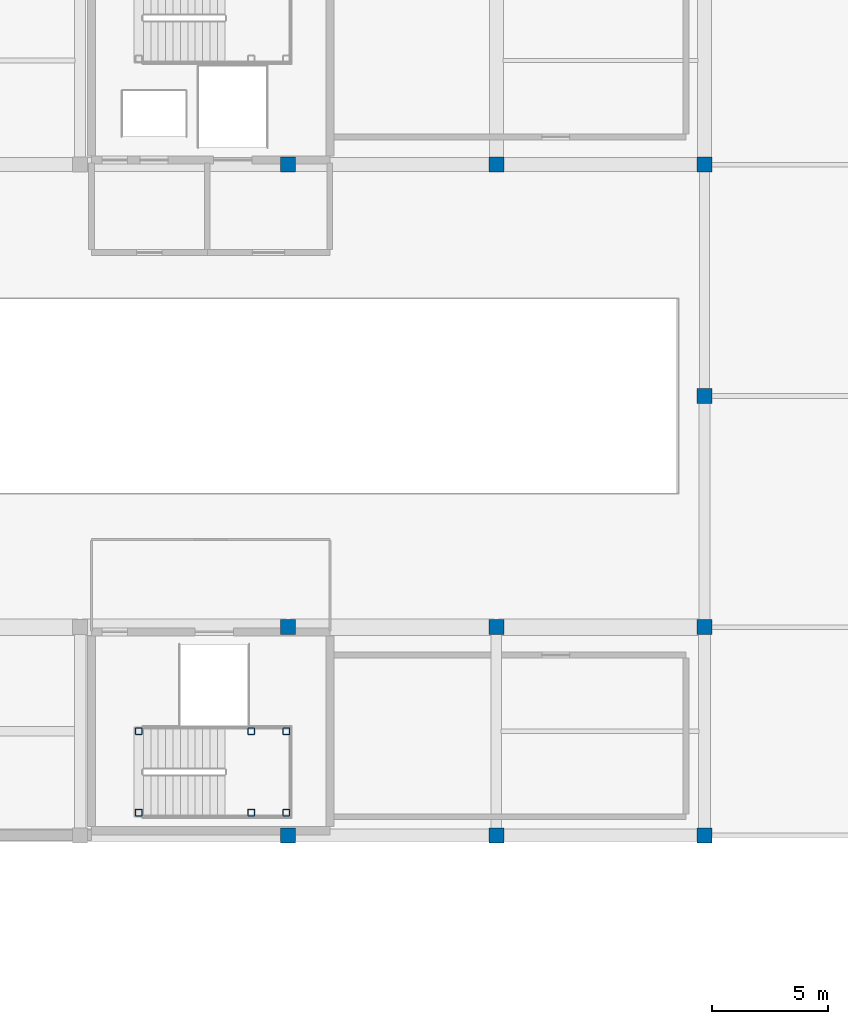
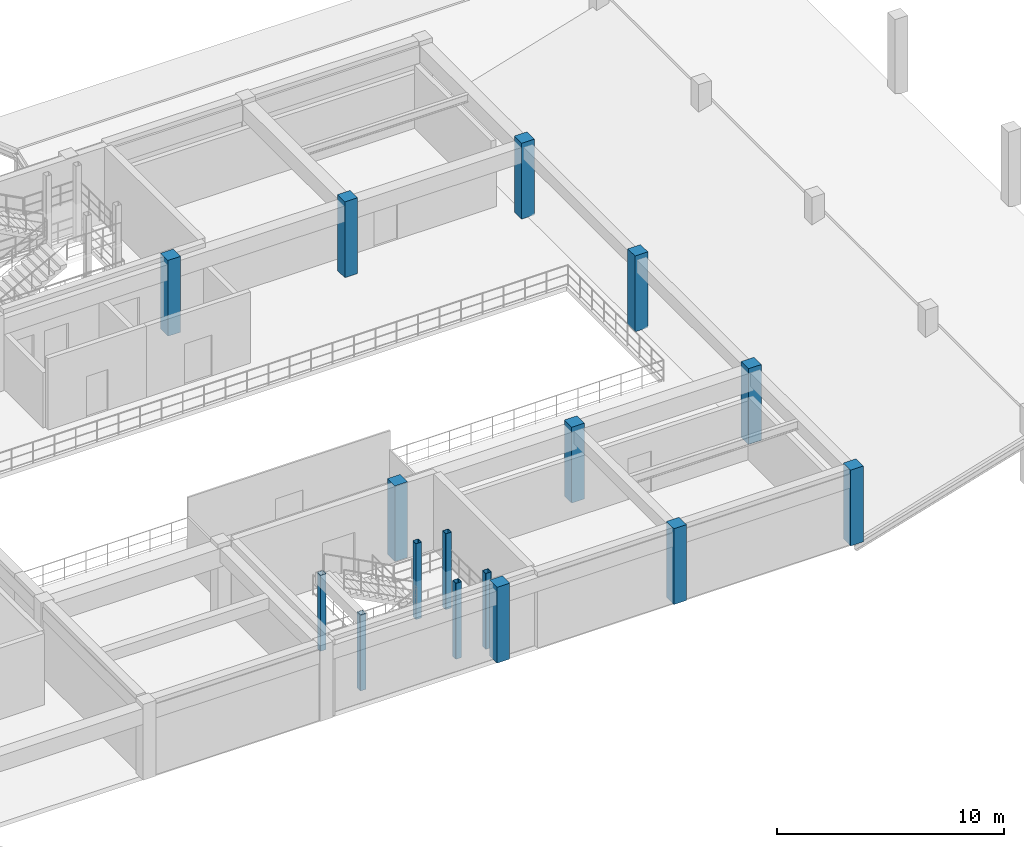
# One storey, part 3 of 80: 16 columns.
"""IFC4 building model written with IfcOpenShell, lengths in metres."""

import ifcopenshell
import ifcopenshell.guid

model = None  # the IFC model being written
_history = None  # IfcOwnerHistory: only IFC2X3 demands one
_inside = {}  # id of a spatial element -> (the spatial element, [elements in it])
_under = {}  # id of a project, library or spatial element -> (it, [spatial elements below it])
_declared = {}  # id of a project -> (the project, [libraries it declares])
_typed = {}  # id of a type object -> (the type object, [elements of that type])
_made_of = {}  # id of a material, layer set ... -> (it, [elements and type objects made of it])


def new_model(schema):
    """Start an empty IFC model of exactly this schema.

    Asked for "IFC4X3", IfcOpenShell would pick the latest addendum, in which some entities
    have other attributes; the version numbers below select the first issue.
    IFC2X3 requires an IfcOwnerHistory on every rooted entity: one is made here for all.
    """
    global model, _history
    if schema == "IFC4X3":
        model = ifcopenshell.file(schema_version=(4, 3, 0, 0))
    else:
        model = ifcopenshell.file(schema=schema)
    _inside.clear()
    _under.clear()
    _declared.clear()
    _typed.clear()
    _made_of.clear()
    _history = None
    if model.schema == "IFC2X3":
        org = make("IfcOrganization", Name="unknown")
        user = make(
            "IfcPersonAndOrganization",
            ThePerson=make("IfcPerson", FamilyName="unknown"),
            TheOrganization=org,
        )
        app = make(
            "IfcApplication",
            ApplicationDeveloper=org,
            Version="unknown",
            ApplicationFullName="unknown",
            ApplicationIdentifier="unknown",
        )
        _history = make(
            "IfcOwnerHistory",
            OwningUser=user,
            OwningApplication=app,
            ChangeAction="ADDED",
            CreationDate=0,
        )
    return model


def make(cls, **values):
    """One entity of the class cls with the attributes given. An attribute that is None is left unset."""
    return model.create_entity(
        cls, **{name: value for name, value in values.items() if value is not None}
    )


def rooted(cls, **values):
    """An entity with a GlobalId (a new one), such as an element, a storey or a relation."""
    return make(cls, GlobalId=ifcopenshell.guid.new(), OwnerHistory=_history, **values)


def si_unit(unit_type, name, prefix=None):
    """IfcSIUnit, for example si_unit("LENGTHUNIT", "METRE", prefix="MILLI")."""
    return make("IfcSIUnit", UnitType=unit_type, Prefix=prefix, Name=name)


def assignment(units):
    """IfcUnitAssignment: the units of a project."""
    return None if units is None else make("IfcUnitAssignment", Units=units)


def point(xyz):
    """IfcCartesianPoint."""
    return None if xyz is None else make("IfcCartesianPoint", Coordinates=xyz)


def direction(xyz):
    """IfcDirection."""
    return None if xyz is None else make("IfcDirection", DirectionRatios=xyz)


def frame(location, z_axis=None, x_axis=None):
    """IfcAxis2Placement3D, a coordinate frame: its origin and axes. An axis left out is left unset."""
    return make(
        "IfcAxis2Placement3D",
        Location=point(location),
        Axis=direction(z_axis),
        RefDirection=direction(x_axis),
    )


def frame_2d(location, x_axis=None):
    """IfcAxis2Placement2D, a coordinate frame in the plane: its origin and x axis."""
    return make(
        "IfcAxis2Placement2D", Location=point(location), RefDirection=direction(x_axis)
    )


def origin():
    """The frame at (0, 0, 0) with its axes left unset."""
    return frame((0.0, 0.0, 0.0))


def origin_2d():
    """The frame at (0, 0) in the plane with its x axis left unset."""
    return frame_2d((0.0, 0.0))


def place(relative_to, where):
    """IfcLocalPlacement: puts the frame where relative to a parent placement (None: the world)."""
    return make(
        "IfcLocalPlacement", PlacementRelTo=relative_to, RelativePlacement=where
    )


def context(
    kind, dimensions, precision=None, world=None, true_north=None, identifier=None
):
    """IfcGeometricRepresentationContext, for example the 3D "Model" context."""
    return make(
        "IfcGeometricRepresentationContext",
        ContextIdentifier=identifier,
        ContextType=kind,
        CoordinateSpaceDimension=dimensions,
        Precision=precision,
        WorldCoordinateSystem=world,
        TrueNorth=true_north,
    )


def subcontext(parent, identifier, kind, view, scale=None):
    """IfcGeometricRepresentationSubContext, for example "Body" below "Model"."""
    return make(
        "IfcGeometricRepresentationSubContext",
        ContextIdentifier=identifier,
        ContextType=kind,
        ParentContext=parent,
        TargetScale=scale,
        TargetView=view,
    )


def project(units=None, contexts=None):
    """IfcProject with its units and contexts."""
    return rooted(
        "IfcProject",
        Name="project",
        RepresentationContexts=contexts,
        UnitsInContext=assignment(units),
    )


def spatial(cls, under=None, at=None, **own):
    """A site, building, storey or space (cls), placed at a placement, below another one or the project."""
    s = rooted(cls, ObjectPlacement=at, **own)
    if under is not None:
        _under.setdefault(under.id(), (under, []))[1].append(s)
    return s


def profile(cls, at=None, kind="AREA", **sizes):
    """A parametric profile (cls). Its sizes go by their IFC names, for example OverallWidth=200.0."""
    return make(cls, ProfileType=kind, Position=at, **sizes)


def rectangle(**sizes):
    """IfcRectangleProfileDef."""
    return profile("IfcRectangleProfileDef", **sizes)


def hollow_rectangle(**sizes):
    """IfcRectangleHollowProfileDef."""
    return profile("IfcRectangleHollowProfileDef", **sizes)


def extrude(swept, where, along, depth):
    """IfcExtrudedAreaSolid: the profile swept, set in the frame where, extruded along a direction by depth."""
    return make(
        "IfcExtrudedAreaSolid",
        SweptArea=swept,
        Position=where,
        ExtrudedDirection=direction(along),
        Depth=depth,
    )


def shape(context_of_items, identifier, shape_type, items):
    """IfcShapeRepresentation: the items that make up one representation, for example the "Body"."""
    return make(
        "IfcShapeRepresentation",
        ContextOfItems=context_of_items,
        RepresentationIdentifier=identifier,
        RepresentationType=shape_type,
        Items=items,
    )


def material(Name=None, Category=None):
    """IfcMaterial."""
    return make("IfcMaterial", Name=Name, Category=Category)


def material_profile(
    of_material, cross_section, Name=None, Category=None, Priority=None
):
    """IfcMaterialProfile: a cross section and its material."""
    return make(
        "IfcMaterialProfile",
        Name=Name,
        Material=of_material,
        Profile=cross_section,
        Priority=Priority,
        Category=Category,
    )


def profile_set(profiles, Name=None, composite=None):
    """IfcMaterialProfileSet."""
    return make(
        "IfcMaterialProfileSet",
        Name=Name,
        MaterialProfiles=profiles,
        CompositeProfile=composite,
    )


def made_of(thing, what):
    """Note that an element or type object is made of a material, layer set ...; save() writes the relation."""
    if what is not None:
        _made_of.setdefault(what.id(), (what, []))[1].append(thing)
    return thing


def type_object(cls, material=None, **own):
    """A type object (cls), such as IfcWallType, which elements share."""
    return made_of(rooted(cls, **own), material)


def element(
    cls,
    number,
    at=None,
    inside=None,
    cuts=None,
    type_object=None,
    material=None,
    context=None,
    identifier="Body",
    shape_type=None,
    held_by="IfcProductDefinitionShape",
    body=None,
    shapes=None,
    **own,
):
    """One element of the class cls, such as IfcWall. Its Tag is "e" and its number.

    at: its placement. inside: the storey or other place that contains it. cuts: it is an
    opening in that element (IfcRelVoidsElement). A single representation is given by context,
    identifier, shape_type and body (its items); several are given by shapes. held_by: the class
    of the entity that holds the representations. save() writes the other relations.
    """
    e = rooted(cls, Tag="e%d" % number, ObjectPlacement=at, **own)
    if body is not None:
        shapes = [shape(context, identifier, shape_type, body)]
    if shapes is not None:
        e.Representation = make(held_by, Representations=shapes)
    if inside is not None:
        _inside.setdefault(inside.id(), (inside, []))[1].append(e)
    if cuts is not None:
        rooted(
            "IfcRelVoidsElement", RelatingBuildingElement=cuts, RelatedOpeningElement=e
        )
    if type_object is not None:
        _typed.setdefault(type_object.id(), (type_object, []))[1].append(e)
    return made_of(e, material)


def aggregate(whole, parts):
    """IfcRelAggregates: a whole, such as a stair, and the parts it consists of."""
    return rooted("IfcRelAggregates", RelatingObject=whole, RelatedObjects=parts)


def save(model, path):
    """Write the relations noted so far, then the file.

    IfcRelAggregates (storeys below a building ...), IfcRelContainedInSpatialStructure (elements
    in a storey), IfcRelDefinesByType, IfcRelAssociatesMaterial and IfcRelDeclares: one each for
    every whole, place, type object, material and project.
    """
    for whole, parts in _under.values():
        aggregate(whole, parts)
    for where, things in _inside.values():
        rooted(
            "IfcRelContainedInSpatialStructure",
            RelatedElements=things,
            RelatingStructure=where,
        )
    for kind, things in _typed.values():
        rooted("IfcRelDefinesByType", RelatedObjects=things, RelatingType=kind)
    for what, things in _made_of.values():
        rooted("IfcRelAssociatesMaterial", RelatedObjects=things, RelatingMaterial=what)
    for by, libraries in _declared.values():
        rooted("IfcRelDeclares", RelatingContext=by, RelatedDefinitions=libraries)
    model.write(path)


model = new_model("IFC4")

# Units and contexts
model_context = context("Model", 3, precision=1e-05, world=origin(), true_north=direction((0.0, 1.0)))
body_context = subcontext(model_context, "Body", "Model", "MODEL_VIEW")
ifc_project = project(units=[si_unit("LENGTHUNIT", "METRE"), si_unit("AREAUNIT", "SQUARE_METRE"), si_unit("VOLUMEUNIT", "CUBIC_METRE"), si_unit("PLANEANGLEUNIT", "RADIAN"), si_unit("MASSUNIT", "GRAM", prefix="KILO")], contexts=[model_context])

# Site, building, storey
site_placement = place(None, origin())
site = spatial("IfcSite", under=ifc_project, at=site_placement, CompositionType="ELEMENT")
building_placement = place(site_placement, origin())
building = spatial("IfcBuilding", under=site, at=building_placement, Name="Miravela Opera House", CompositionType="ELEMENT")
storey_placement = place(building_placement, frame((0.0, 0.0, 17.679931640625)))
storey = spatial("IfcBuildingStorey", under=building, at=storey_placement, Name="L04", CompositionType="ELEMENT", Elevation=17.679931640625)

# Columns
ifc_material_1 = material(Name="Hollow structural steel ASTM A500 Gr. C", Category="steel")
ifc_material_profile_1 = material_profile(ifc_material_1, hollow_rectangle(XDim=0.300048828125, YDim=0.300048828125, WallThickness=0.01611328125, InnerFilletRadius=0.01611328125, OuterFilletRadius=0.031982421875, at=origin_2d()), Name="HSS300X300X16")
ifc_profile_set_1 = profile_set([ifc_material_profile_1])
column_type_1 = type_object("IfcColumnType", Name="STR-COL-HSS300", PredefinedType="COLUMN", material=ifc_profile_set_1)
for number, where, z_axis, x_axis, name in (
    (1, (110.5400390625, 37.97998046875, 0.0), (0.0, 0.0, 1.0), (1.0, 0.0, 0.0), "Stair K4 Landing Support Column 1 (L04)"),
    (2, (110.5400390625, 41.5, 0.0), (0.0, 0.0, 1.0), (1.0, 0.0, 0.0), "Stair K4 Landing Support Column 2 (L04)"),
    (3, (115.39990234375, 37.97998046875, 0.0), (0.0, 0.0, 1.0), (1.0, 0.0, 0.0), "Stair K4 Landing Support Column 3 (L04)"),
    (4, (115.39990234375, 41.5, 0.0), (0.0, 0.0, 1.0), (1.0, 0.0, 0.0), "Stair K4 Landing Support Column 4 (L04)"),
    (5, (116.919921875, 37.97998046875, 0.0), (0.0, 0.0, 1.0), (1.0, 0.0, 0.0), "Stair K4 Landing Support Column 5 (L04)"),
    (6, (116.919921875, 41.5, 0.0), (0.0, 0.0, 1.0), (1.0, 0.0, 0.0), "Stair K4 Landing Support Column 6 (L04)"),
):
    element("IfcColumn", number, at=place(storey_placement, frame(where, z_axis=z_axis, x_axis=x_axis)), inside=storey, type_object=column_type_1, Name=name, PredefinedType="COLUMN", context=body_context, shape_type="SweptSolid", body=[
        extrude(hollow_rectangle(XDim=0.300048828125, YDim=0.300048828125, WallThickness=0.01611328125, InnerFilletRadius=0.01611328125, OuterFilletRadius=0.031982421875, at=origin_2d()), origin(), (0.0, 0.0, 1.0), 4.080078125),
    ])
ifc_material_2 = material(Name="Concrete C35/45", Category="concrete")
ifc_material_profile_2 = material_profile(ifc_material_2, rectangle(XDim=0.64990234375, YDim=0.64990234375, at=origin_2d()), Name="RC-COL-650X650")
ifc_profile_set_2 = profile_set([ifc_material_profile_2])
column_type_2 = type_object("IfcColumnType", Name="STR-COL-RC650", PredefinedType="COLUMN", material=ifc_profile_set_2)
for number, where, z_axis, x_axis, name in (
    (7, (117.0, 37.0, 0.0), (0.0, 0.0, 1.0), (1.0, 0.0, 0.0), "Column C-14E (L04)"),
    (8, (117.0, 46.0, 0.0), (0.0, 0.0, 1.0), (1.0, 0.0, 0.0), "Column C-14F (L04)"),
    (9, (117.0, 66.0, 0.0), (0.0, 0.0, 1.0), (1.0, 0.0, 0.0), "Column C-14H (L04)"),
    (10, (126.0, 37.0, 0.0), (0.0, 0.0, 1.0), (1.0, 0.0, 0.0), "Column C-15E (L04)"),
    (11, (126.0, 46.0, 0.0), (0.0, 0.0, 1.0), (1.0, 0.0, 0.0), "Column C-15F (L04)"),
    (12, (126.0, 66.0, 0.0), (0.0, 0.0, 1.0), (1.0, 0.0, 0.0), "Column C-15H (L04)"),
    (13, (135.0, 37.0, 0.0), (0.0, 0.0, 1.0), (1.0, 0.0, 0.0), "Column C-16E (L04)"),
    (14, (135.0, 46.0, 0.0), (0.0, 0.0, 1.0), (1.0, 0.0, 0.0), "Column C-16F (L04)"),
    (15, (135.0, 56.0, 0.0), (0.0, 0.0, 1.0), (1.0, 0.0, 0.0), "Column C-16G (L04)"),
    (16, (135.0, 66.0, 0.0), (0.0, 0.0, 1.0), (1.0, 0.0, 0.0), "Column C-16H (L04)"),
):
    element("IfcColumn", number, at=place(storey_placement, frame(where, z_axis=z_axis, x_axis=x_axis)), inside=storey, type_object=column_type_2, Name=name, PredefinedType="COLUMN", context=body_context, shape_type="SweptSolid", body=[
        extrude(rectangle(XDim=0.64990234375, YDim=0.64990234375, at=origin_2d()), origin(), (0.0, 0.0, 1.0), 4.080078125),
    ])

save(model, "model.ifc")
